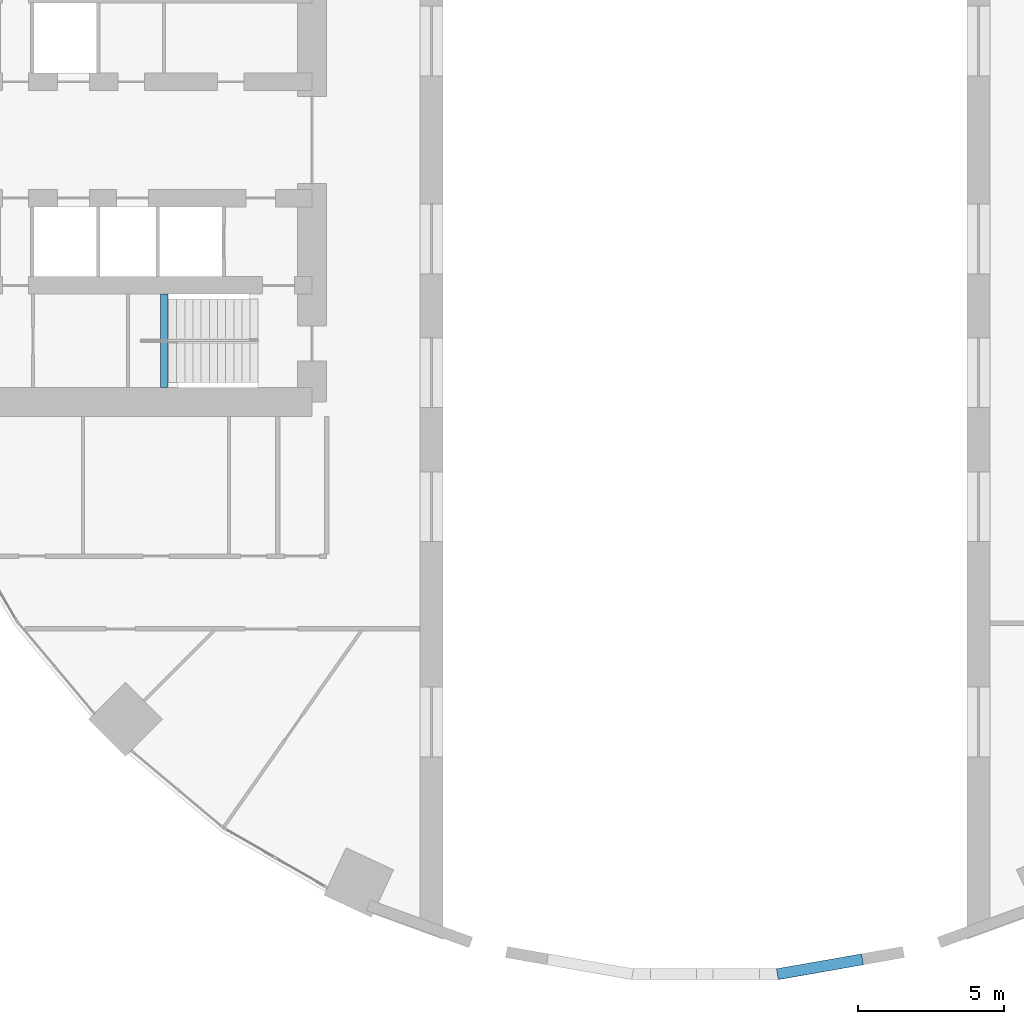
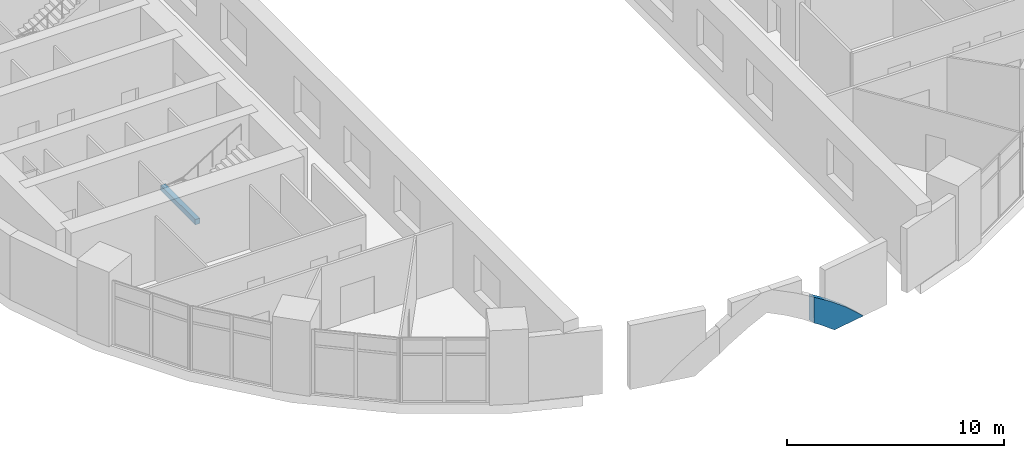
# One storey, part 3 of 15: 1 beam, 1 member.
"""IFC4 building model written with IfcOpenShell, lengths in metres."""

from ifc_helpers import new_model, si_unit, direction, frame, origin, origin_2d, place, context, subcontext, project, spatial, polyline, rectangle, hollow_rectangle, outline, extrude, material, material_profile, profile_set, type_object, element, save


model = new_model("IFC4")

# Units and contexts
model_context = context("Model", 3, precision=1e-05, world=origin(), true_north=direction((0.0, 1.0)))
body_context = subcontext(model_context, "Body", "Model", "MODEL_VIEW")
ifc_project = project(units=[si_unit("LENGTHUNIT", "METRE"), si_unit("AREAUNIT", "SQUARE_METRE"), si_unit("VOLUMEUNIT", "CUBIC_METRE"), si_unit("PLANEANGLEUNIT", "RADIAN"), si_unit("MASSUNIT", "GRAM", prefix="KILO")], contexts=[model_context])

# Site, building, storey
site_placement = place(None, origin())
site = spatial("IfcSite", under=ifc_project, at=site_placement, CompositionType="ELEMENT")
building_placement = place(site_placement, origin())
building = spatial("IfcBuilding", under=site, at=building_placement, Name="Saqina Gate Tower", CompositionType="ELEMENT")
storey_placement = place(building_placement, frame((0.0, 0.0, 17.60009765625)))
storey = spatial("IfcBuildingStorey", under=building, at=storey_placement, Name="L04", CompositionType="ELEMENT", Elevation=17.60009765625)

# Beam
ifc_material_1 = material(Name="Concrete C40/50", Category="concrete")
ifc_material_profile_1 = material_profile(ifc_material_1, rectangle(XDim=0.25, YDim=0.300048828125, at=origin_2d()), Name="STAIR LANDING BEAM")
ifc_profile_set_1 = profile_set([ifc_material_profile_1], Name="Concrete C40/50")
beam_type = type_object("IfcBeamType", Name="STAIR LANDING BEAM", PredefinedType="BEAM", material=ifc_profile_set_1)
beam_placement = place(storey_placement, frame((-18.580078125, -8.5, 1.699951171875), z_axis=(0.0, 1.0, 0.0), x_axis=(-1.0, 0.0, 0.0)))
element("IfcBeam", 1, at=beam_placement, inside=storey, type_object=beam_type, Name="EXIT STAIR 4 LANDING BEAM", PredefinedType="BEAM", context=body_context, shape_type="SweptSolid", body=[
    extrude(rectangle(XDim=0.25, YDim=0.300048828125, at=origin_2d()), origin(), (0.0, 0.0, 1.0), 3.199951171875),
])

# Member
ifc_material_2 = material(Name="Steel S355", Category="steel")
ifc_material_profile_2 = material_profile(ifc_material_2, hollow_rectangle(XDim=1.199951171875, YDim=0.3798828125, WallThickness=0.030029296875, at=origin_2d()), Name="BOX 1200x380x30")
ifc_profile_set_2 = profile_set([ifc_material_profile_2], Name="Steel S355")
member_type = type_object("IfcMemberType", Name="STR-ARCH RIB-BOX 1200x380x30", PredefinedType="USERDEFINED", material=ifc_profile_set_2)
member_placement = place(storey_placement, frame((2.5205078125, -28.850341796875, 2.3818359375), z_axis=(0.173696674332, -0.984797175183, 0.001997267736), x_axis=(0.850377096579, 0.14896443911, -0.504646796774)))
element("IfcMember", 2, at=member_placement, inside=storey, type_object=member_type, Name="ARCH RIB S L04 facet 28", ObjectType="ARCH RIB", PredefinedType="USERDEFINED", context=body_context, shape_type="SweptSolid", body=[
    extrude(outline(polyline([(0.0, 0.0), (0.03821835872285472, 0.0), (1.2308624809840885, -0.08420590945003015), (2.4133494704100418, -0.2526817307815765), (3.5798279983421724, -0.504889648170749), (3.7640095484338176, -0.5587020449502296), (2.248280255850693, -1.4447057267653678), (2.201750375706797, -1.434858710694141), (1.1036764276033175, -1.2781226499486311), (0.7318152230867793, -1.252007084538989), (0.0, 0.0)])), origin(), (0.0, 0.0, -1.0), 0.3798828125),
])

save(model, "model.ifc")
